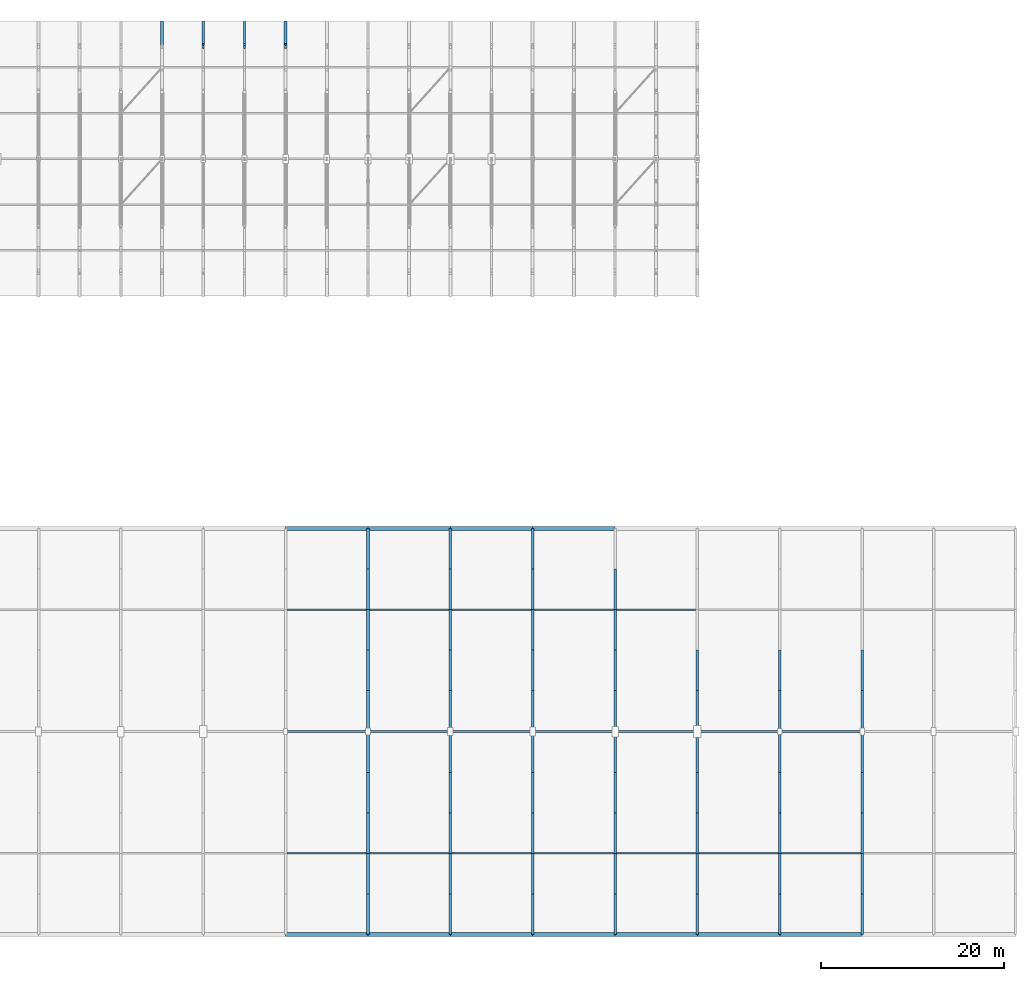
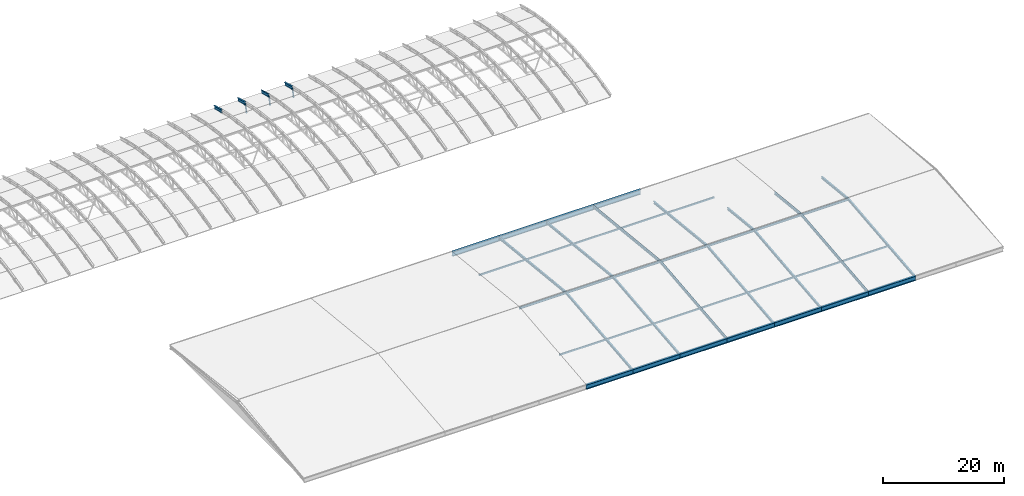
# One storey, part 21 of 53: 82 members, 15 beams.
"""IFC4 building model written with IfcOpenShell, lengths in metres."""

from ifc_helpers import new_model, si_unit, direction, frame, origin, origin_2d, place, context, subcontext, project, spatial, hollow_rectangle, i_section, extrude, material, material_profile, profile_set, type_object, element, save


model = new_model("IFC4")

# Units and contexts
model_context = context("Model", 3, precision=1e-05, world=origin(), true_north=direction((0.0, 1.0)))
body_context = subcontext(model_context, "Body", "Model", "MODEL_VIEW")
ifc_project = project(units=[si_unit("LENGTHUNIT", "METRE"), si_unit("AREAUNIT", "SQUARE_METRE"), si_unit("VOLUMEUNIT", "CUBIC_METRE"), si_unit("PLANEANGLEUNIT", "RADIAN"), si_unit("MASSUNIT", "GRAM", prefix="KILO")], contexts=[model_context])

# Site, building, storey
site_placement = place(None, origin())
site = spatial("IfcSite", under=ifc_project, at=site_placement, CompositionType="ELEMENT")
building_placement = place(site_placement, origin())
building = spatial("IfcBuilding", under=site, at=building_placement, Name="Cazmaro Siding Exhibition Halls", CompositionType="ELEMENT")
storey_placement = place(building_placement, frame((0.0, 0.0, 21.0)))
storey = spatial("IfcBuildingStorey", under=building, at=storey_placement, Name="L04", CompositionType="ELEMENT", Elevation=21.0)

# Beams
ifc_material_1 = material(Name="Steel ASTM A992 Grade 50", Category="steel")
ifc_material_profile_1 = material_profile(ifc_material_1, i_section(OverallWidth=0.327880859375, OverallDepth=0.626953125, WebThickness=0.01708984375, FlangeThickness=0.028076171875, at=origin_2d()), Name="W24X146")
ifc_profile_set_1 = profile_set([ifc_material_profile_1], Name="Steel ASTM A992 Grade 50")
beam_type_1 = type_object("IfcBeamType", Name="AR-01", PredefinedType="USERDEFINED", material=ifc_profile_set_1)
for number, where, z_axis, x_axis, name in (
    (1, (112.5, 106.5, 1.02001953125), (0.0, 0.966391398669, -0.257075211911), (-1.0, 0.0, 0.0), "Space frame barrel vault arched rib AR-01 BM-0912"),
    (2, (126.0, 106.5, 1.02001953125), (0.0, 0.966391398669, -0.257075211911), (-1.0, 0.0, 0.0), "Space frame barrel vault arched rib AR-01 BM-0984"),
):
    element("IfcBeam", number, at=place(storey_placement, frame(where, z_axis=z_axis, x_axis=x_axis)), inside=storey, type_object=beam_type_1, Name=name, ObjectType="ARCHED RIB", PredefinedType="USERDEFINED", context=body_context, shape_type="SweptSolid", body=[
        extrude(i_section(OverallWidth=0.327880859375, OverallDepth=0.626953125, WebThickness=0.01708984375, FlangeThickness=0.028076171875, at=origin_2d()), origin(), (0.0, 0.0, 1.0), 2.5869140625),
    ])
ifc_material_2 = material(Name="Steel ASTM A992 Grade 50", Category="steel")
ifc_material_profile_2 = material_profile(ifc_material_2, i_section(OverallWidth=0.324951171875, OverallDepth=0.612060546875, WebThickness=0.012939453125, FlangeThickness=0.01904296875, at=origin_2d()), Name="W24X104")
ifc_profile_set_2 = profile_set([ifc_material_profile_2], Name="Steel ASTM A992 Grade 50")
beam_type_2 = type_object("IfcBeamType", Name="AR-02", PredefinedType="USERDEFINED", material=ifc_profile_set_2)
beam_1_placement = place(storey_placement, frame((117.0, 106.5, 1.02001953125), z_axis=(0.0, 0.966391398669, -0.257075211911), x_axis=(-1.0, 0.0, 0.0)))
element("IfcBeam", 3, at=beam_1_placement, inside=storey, type_object=beam_type_2, Name="Space frame barrel vault arched rib AR-02 BM-0936", ObjectType="ARCHED RIB", PredefinedType="USERDEFINED", context=body_context, shape_type="SweptSolid", body=[
    extrude(i_section(OverallWidth=0.324951171875, OverallDepth=0.612060546875, WebThickness=0.012939453125, FlangeThickness=0.01904296875, at=origin_2d()), origin(), (0.0, 0.0, 1.0), 2.5869140625),
])
ifc_material_3 = material(Name="Steel ASTM A992 Grade 50", Category="steel")
ifc_material_profile_3 = material_profile(ifc_material_3, i_section(OverallWidth=0.22900390625, OverallDepth=0.612060546875, WebThickness=0.011962890625, FlangeThickness=0.02001953125, at=origin_2d()), Name="W24X84")
ifc_profile_set_3 = profile_set([ifc_material_profile_3], Name="Steel ASTM A992 Grade 50")
beam_type_3 = type_object("IfcBeamType", Name="AR-03", PredefinedType="USERDEFINED", material=ifc_profile_set_3)
beam_2_placement = place(storey_placement, frame((121.5, 106.5, 1.02001953125), z_axis=(0.0, 0.966391398669, -0.257075211911), x_axis=(-1.0, 0.0, 0.0)))
element("IfcBeam", 4, at=beam_2_placement, inside=storey, type_object=beam_type_3, Name="Space frame barrel vault arched rib AR-03 BM-0960", ObjectType="ARCHED RIB", PredefinedType="USERDEFINED", context=body_context, shape_type="SweptSolid", body=[
    extrude(i_section(OverallWidth=0.22900390625, OverallDepth=0.612060546875, WebThickness=0.011962890625, FlangeThickness=0.02001953125, at=origin_2d()), origin(), (0.0, 0.0, 1.0), 2.5869140625),
])
ifc_material_4 = material(Name="Steel ASTM A992 Grade 50", Category="steel")
ifc_material_profile_4 = material_profile(ifc_material_4, i_section(OverallWidth=0.4189453125, OverallDepth=0.927001953125, WebThickness=0.02001953125, FlangeThickness=0.031982421875, at=origin_2d()), Name="W36X231")
ifc_profile_set_4 = profile_set([ifc_material_profile_4], Name="Steel ASTM A992 Grade 50")
beam_type_4 = type_object("IfcBeamType", Name="G-02", PredefinedType="USERDEFINED", material=ifc_profile_set_4)
for number, where, z_axis, x_axis, name in (
    (5, (126.0, 9.25, -0.462890625), (1.0, 0.0, 0.0), (0.0, 1.0, 0.0), "Beam G-02 BM-1508"),
    (6, (126.0, 53.60009765625, -0.462890625), (1.0, 0.0, 0.0), (0.0, 1.0, 0.0), "Beam G-02 BM-1510"),
    (7, (135.0, 9.25, -0.462890625), (1.0, 0.0, 0.0), (0.0, 1.0, 0.0), "Beam G-02 BM-1512"),
    (8, (135.0, 53.60009765625, -0.462890625), (1.0, 0.0, 0.0), (0.0, 1.0, 0.0), "Beam G-02 BM-1514"),
    (9, (144.0, 9.25, -0.462890625), (1.0, 0.0, 0.0), (0.0, 1.0, 0.0), "Beam G-02 BM-1516"),
    (10, (144.0, 53.60009765625, -0.462890625), (1.0, 0.0, 0.0), (0.0, 1.0, 0.0), "Beam G-02 BM-1518"),
    (11, (153.0, 9.25, -0.462890625), (1.0, 0.0, 0.0), (0.0, 1.0, 0.0), "Beam G-02 BM-1520"),
    (12, (153.0, 53.60009765625, -0.462890625), (1.0, 0.0, 0.0), (0.0, 1.0, 0.0), "Beam G-02 BM-1522"),
    (13, (162.0, 9.25, -0.462890625), (1.0, 0.0, 0.0), (0.0, 1.0, 0.0), "Beam G-02 BM-1524"),
    (14, (171.0, 9.25, -0.462890625), (1.0, 0.0, 0.0), (0.0, 1.0, 0.0), "Beam G-02 BM-1528"),
    (15, (180.0, 9.25, -0.462890625), (1.0, 0.0, 0.0), (0.0, 1.0, 0.0), "Beam G-02 BM-1532"),
):
    element("IfcBeam", number, at=place(storey_placement, frame(where, z_axis=z_axis, x_axis=x_axis)), inside=storey, type_object=beam_type_4, Name=name, ObjectType="GIRDER", PredefinedType="USERDEFINED", context=body_context, shape_type="SweptSolid", body=[
        extrude(i_section(OverallWidth=0.4189453125, OverallDepth=0.927001953125, WebThickness=0.02001953125, FlangeThickness=0.031982421875, at=origin_2d()), origin(), (0.0, 0.0, 1.0), 9.0),
    ])

# Members
ifc_material_5 = material(Name="Steel ASTM A500 Grade C", Category="steel")
ifc_material_profile_5 = material_profile(ifc_material_5, hollow_rectangle(XDim=0.202880859375, YDim=0.304931640625, WallThickness=0.011962890625, at=origin_2d()), Name="HSS12X8X1/2")
ifc_profile_set_5 = profile_set([ifc_material_profile_5], Name="Steel ASTM A500 Grade C")
member_type_1 = type_object("IfcMemberType", Name="RP-02", PredefinedType="PURLIN", material=ifc_profile_set_5)
for number, where, z_axis, x_axis, name in (
    (16, (126.0, 18.1201171875, 0.610107421875), (1.0, 0.0, 0.0), (0.0, 1.0, 0.0), "Warren roof purlin RP-02 MEM-2944"),
    (17, (126.0, 44.72998046875, 0.610107421875), (1.0, 0.0, 0.0), (0.0, 1.0, 0.0), "Warren roof purlin RP-02 MEM-2946"),
    (18, (135.0, 18.1201171875, 0.610107421875), (1.0, 0.0, 0.0), (0.0, 1.0, 0.0), "Warren roof purlin RP-02 MEM-2947"),
    (19, (135.0, 44.72998046875, 0.610107421875), (1.0, 0.0, 0.0), (0.0, 1.0, 0.0), "Warren roof purlin RP-02 MEM-2949"),
    (20, (144.0, 18.1201171875, 0.610107421875), (1.0, 0.0, 0.0), (0.0, 1.0, 0.0), "Warren roof purlin RP-02 MEM-2950"),
    (21, (144.0, 44.72998046875, 0.610107421875), (1.0, 0.0, 0.0), (0.0, 1.0, 0.0), "Warren roof purlin RP-02 MEM-2952"),
    (22, (153.0, 18.1201171875, 0.610107421875), (1.0, 0.0, 0.0), (0.0, 1.0, 0.0), "Warren roof purlin RP-02 MEM-2953"),
    (23, (153.0, 44.72998046875, 0.610107421875), (1.0, 0.0, 0.0), (0.0, 1.0, 0.0), "Warren roof purlin RP-02 MEM-2955"),
    (24, (162.0, 18.1201171875, 0.610107421875), (1.0, 0.0, 0.0), (0.0, 1.0, 0.0), "Warren roof purlin RP-02 MEM-2956"),
    (25, (162.0, 44.72998046875, 0.610107421875), (1.0, 0.0, 0.0), (0.0, 1.0, 0.0), "Warren roof purlin RP-02 MEM-2958"),
    (26, (171.0, 18.1201171875, 0.610107421875), (1.0, 0.0, 0.0), (0.0, 1.0, 0.0), "Warren roof purlin RP-02 MEM-2959"),
    (27, (180.0, 18.1201171875, 0.610107421875), (1.0, 0.0, 0.0), (0.0, 1.0, 0.0), "Warren roof purlin RP-02 MEM-2962"),
):
    element("IfcMember", number, at=place(storey_placement, frame(where, z_axis=z_axis, x_axis=x_axis)), inside=storey, type_object=member_type_1, Name=name, PredefinedType="PURLIN", context=body_context, shape_type="SweptSolid", body=[
        extrude(hollow_rectangle(XDim=0.202880859375, YDim=0.304931640625, WallThickness=0.011962890625, at=origin_2d()), origin(), (0.0, 0.0, 1.0), 9.0),
    ])
ifc_material_6 = material(Name="Steel ASTM A992 Grade 50", Category="steel")
ifc_material_profile_6 = material_profile(ifc_material_6, i_section(OverallWidth=0.177978515625, OverallDepth=0.406005859375, WebThickness=0.008056640625, FlangeThickness=0.012939453125, at=origin_2d()), Name="W16X40")
ifc_profile_set_6 = profile_set([ifc_material_profile_6], Name="Steel ASTM A992 Grade 50")
member_type_2 = type_object("IfcMemberType", Name="RP-03", PredefinedType="PURLIN", material=ifc_profile_set_6)
for number, where, z_axis, x_axis, name in (
    (28, (126.0, 31.425048828125, 1.9580078125), (1.0, 0.0, 0.0), (0.0, 1.0, 0.0), "Warren roof purlin RP-03 MEM-2945"),
    (29, (135.0, 31.425048828125, 1.9580078125), (1.0, 0.0, 0.0), (0.0, 1.0, 0.0), "Warren roof purlin RP-03 MEM-2948"),
    (30, (144.0, 31.425048828125, 1.9580078125), (1.0, 0.0, 0.0), (0.0, 1.0, 0.0), "Warren roof purlin RP-03 MEM-2951"),
    (31, (153.0, 31.425048828125, 1.9580078125), (1.0, 0.0, 0.0), (0.0, 1.0, 0.0), "Warren roof purlin RP-03 MEM-2954"),
    (32, (162.0, 31.425048828125, 1.9580078125), (1.0, 0.0, 0.0), (0.0, 1.0, 0.0), "Warren roof purlin RP-03 MEM-2957"),
    (33, (171.0, 31.425048828125, 1.9580078125), (1.0, 0.0, 0.0), (0.0, 1.0, 0.0), "Warren roof purlin RP-03 MEM-2960"),
    (34, (180.0, 31.425048828125, 1.9580078125), (1.0, 0.0, 0.0), (0.0, 1.0, 0.0), "Warren roof purlin RP-03 MEM-2963"),
):
    element("IfcMember", number, at=place(storey_placement, frame(where, z_axis=z_axis, x_axis=x_axis)), inside=storey, type_object=member_type_2, Name=name, PredefinedType="PURLIN", context=body_context, shape_type="SweptSolid", body=[
        extrude(i_section(OverallWidth=0.177978515625, OverallDepth=0.406005859375, WebThickness=0.008056640625, FlangeThickness=0.012939453125, at=origin_2d()), origin(), (0.0, 0.0, 1.0), 9.0),
    ])
ifc_material_7 = material(Name="Steel ASTM A992 Grade 50", Category="steel")
ifc_material_profile_7 = material_profile(ifc_material_7, i_section(OverallWidth=0.279052734375, OverallDepth=0.4619140625, WebThickness=0.010986328125, FlangeThickness=0.01708984375, at=origin_2d()), Name="W18X76")
ifc_profile_set_7 = profile_set([ifc_material_profile_7], Name="Steel ASTM A992 Grade 50")
member_type_3 = type_object("IfcMemberType", Name="TC-03", PredefinedType="CHORD", material=ifc_profile_set_7)
for number, where, z_axis, x_axis, name in (
    (35, (135.0, 9.25, -0.360107421875), (0.0, 0.994523736536, 0.104510944239), (-1.0, 0.0, 0.0), "Warren roof truss top chord TC-03 MEM-2575"),
    (36, (135.0, 13.68505859375, 0.10595703125), (0.0, 0.994500952399, 0.104727530658), (-1.0, 0.0, 0.0), "Warren roof truss top chord TC-03 MEM-2578"),
):
    element("IfcMember", number, at=place(storey_placement, frame(where, z_axis=z_axis, x_axis=x_axis)), inside=storey, type_object=member_type_3, Name=name, PredefinedType="CHORD", context=body_context, shape_type="SweptSolid", body=[
        extrude(i_section(OverallWidth=0.279052734375, OverallDepth=0.4619140625, WebThickness=0.010986328125, FlangeThickness=0.01708984375, at=origin_2d()), origin(), (0.0, 0.0, 1.0), 4.45947265625),
    ])
member_1_placement = place(storey_placement, frame((135.0, 18.1201171875, 0.572998046875), z_axis=(0.0, 0.994523138518, 0.104516634816), x_axis=(-1.0, 0.0, 0.0)))
element("IfcMember", 37, at=member_1_placement, inside=storey, type_object=member_type_3, Name="Warren roof truss top chord TC-03 MEM-2581", PredefinedType="CHORD", context=body_context, shape_type="SweptSolid", body=[
    extrude(i_section(OverallWidth=0.279052734375, OverallDepth=0.4619140625, WebThickness=0.010986328125, FlangeThickness=0.01708984375, at=origin_2d()), origin(), (0.0, 0.0, 1.0), 4.459228515625),
])
for number, where, z_axis, x_axis, name in (
    (38, (135.0, 22.554931640625, 1.0390625), (0.0, 0.994529425363, 0.10445679531), (-1.0, 0.0, 0.0), "Warren roof truss top chord TC-03 MEM-2584"),
    (39, (135.0, 26.989990234375, 1.5048828125), (0.0, 0.994523736536, 0.104510944239), (-1.0, 0.0, 0.0), "Warren roof truss top chord TC-03 MEM-2587"),
    (40, (135.0, 31.425048828125, 1.970947265625), (0.0, 0.994523736536, -0.104510944239), (-1.0, 0.0, 0.0), "Warren roof truss top chord TC-03 MEM-2590"),
):
    element("IfcMember", number, at=place(storey_placement, frame(where, z_axis=z_axis, x_axis=x_axis)), inside=storey, type_object=member_type_3, Name=name, PredefinedType="CHORD", context=body_context, shape_type="SweptSolid", body=[
        extrude(i_section(OverallWidth=0.279052734375, OverallDepth=0.4619140625, WebThickness=0.010986328125, FlangeThickness=0.01708984375, at=origin_2d()), origin(), (0.0, 0.0, 1.0), 4.45947265625),
    ])
member_2_placement = place(storey_placement, frame((135.0, 35.860107421875, 1.5048828125), z_axis=(0.0, 0.994528827961, -0.104462483003), x_axis=(-1.0, 0.0, 0.0)))
element("IfcMember", 41, at=member_2_placement, inside=storey, type_object=member_type_3, Name="Warren roof truss top chord TC-03 MEM-2593", PredefinedType="CHORD", context=body_context, shape_type="SweptSolid", body=[
    extrude(i_section(OverallWidth=0.279052734375, OverallDepth=0.4619140625, WebThickness=0.010986328125, FlangeThickness=0.01708984375, at=origin_2d()), origin(), (0.0, 0.0, 1.0), 4.459228515625),
])
for number, where, z_axis, x_axis, name in (
    (42, (135.0, 40.294921875, 1.0390625), (0.0, 0.994523736536, -0.104510944239), (-1.0, 0.0, 0.0), "Warren roof truss top chord TC-03 MEM-2596"),
    (43, (135.0, 44.72998046875, 0.572998046875), (0.0, 0.994500952399, -0.104727530658), (-1.0, 0.0, 0.0), "Warren roof truss top chord TC-03 MEM-2599"),
    (44, (135.0, 49.1650390625, 0.10595703125), (0.0, 0.994523736536, -0.104510944239), (-1.0, 0.0, 0.0), "Warren roof truss top chord TC-03 MEM-2602"),
    (45, (144.0, 9.25, -0.360107421875), (0.0, 0.994523736536, 0.104510944239), (-1.0, 0.0, 0.0), "Warren roof truss top chord TC-03 MEM-2614"),
    (46, (144.0, 13.68505859375, 0.10595703125), (0.0, 0.994500952399, 0.104727530658), (-1.0, 0.0, 0.0), "Warren roof truss top chord TC-03 MEM-2617"),
):
    element("IfcMember", number, at=place(storey_placement, frame(where, z_axis=z_axis, x_axis=x_axis)), inside=storey, type_object=member_type_3, Name=name, PredefinedType="CHORD", context=body_context, shape_type="SweptSolid", body=[
        extrude(i_section(OverallWidth=0.279052734375, OverallDepth=0.4619140625, WebThickness=0.010986328125, FlangeThickness=0.01708984375, at=origin_2d()), origin(), (0.0, 0.0, 1.0), 4.45947265625),
    ])
member_3_placement = place(storey_placement, frame((144.0, 18.1201171875, 0.572998046875), z_axis=(0.0, 0.994523138518, 0.104516634816), x_axis=(-1.0, 0.0, 0.0)))
element("IfcMember", 47, at=member_3_placement, inside=storey, type_object=member_type_3, Name="Warren roof truss top chord TC-03 MEM-2620", PredefinedType="CHORD", context=body_context, shape_type="SweptSolid", body=[
    extrude(i_section(OverallWidth=0.279052734375, OverallDepth=0.4619140625, WebThickness=0.010986328125, FlangeThickness=0.01708984375, at=origin_2d()), origin(), (0.0, 0.0, 1.0), 4.459228515625),
])
for number, where, z_axis, x_axis, name in (
    (48, (144.0, 22.554931640625, 1.0390625), (0.0, 0.994529425363, 0.10445679531), (-1.0, 0.0, 0.0), "Warren roof truss top chord TC-03 MEM-2623"),
    (49, (144.0, 26.989990234375, 1.5048828125), (0.0, 0.994523736536, 0.104510944239), (-1.0, 0.0, 0.0), "Warren roof truss top chord TC-03 MEM-2626"),
    (50, (144.0, 31.425048828125, 1.970947265625), (0.0, 0.994523736536, -0.104510944239), (-1.0, 0.0, 0.0), "Warren roof truss top chord TC-03 MEM-2629"),
):
    element("IfcMember", number, at=place(storey_placement, frame(where, z_axis=z_axis, x_axis=x_axis)), inside=storey, type_object=member_type_3, Name=name, PredefinedType="CHORD", context=body_context, shape_type="SweptSolid", body=[
        extrude(i_section(OverallWidth=0.279052734375, OverallDepth=0.4619140625, WebThickness=0.010986328125, FlangeThickness=0.01708984375, at=origin_2d()), origin(), (0.0, 0.0, 1.0), 4.45947265625),
    ])
member_4_placement = place(storey_placement, frame((144.0, 35.860107421875, 1.5048828125), z_axis=(0.0, 0.994528827961, -0.104462483003), x_axis=(-1.0, 0.0, 0.0)))
element("IfcMember", 51, at=member_4_placement, inside=storey, type_object=member_type_3, Name="Warren roof truss top chord TC-03 MEM-2632", PredefinedType="CHORD", context=body_context, shape_type="SweptSolid", body=[
    extrude(i_section(OverallWidth=0.279052734375, OverallDepth=0.4619140625, WebThickness=0.010986328125, FlangeThickness=0.01708984375, at=origin_2d()), origin(), (0.0, 0.0, 1.0), 4.459228515625),
])
for number, where, z_axis, x_axis, name in (
    (52, (144.0, 40.294921875, 1.0390625), (0.0, 0.994523736536, -0.104510944239), (-1.0, 0.0, 0.0), "Warren roof truss top chord TC-03 MEM-2635"),
    (53, (144.0, 44.72998046875, 0.572998046875), (0.0, 0.994500952399, -0.104727530658), (-1.0, 0.0, 0.0), "Warren roof truss top chord TC-03 MEM-2638"),
    (54, (144.0, 49.1650390625, 0.10595703125), (0.0, 0.994523736536, -0.104510944239), (-1.0, 0.0, 0.0), "Warren roof truss top chord TC-03 MEM-2641"),
    (55, (153.0, 9.25, -0.360107421875), (0.0, 0.994523736536, 0.104510944239), (-1.0, 0.0, 0.0), "Warren roof truss top chord TC-03 MEM-2653"),
    (56, (153.0, 13.68505859375, 0.10595703125), (0.0, 0.994500952399, 0.104727530658), (-1.0, 0.0, 0.0), "Warren roof truss top chord TC-03 MEM-2656"),
):
    element("IfcMember", number, at=place(storey_placement, frame(where, z_axis=z_axis, x_axis=x_axis)), inside=storey, type_object=member_type_3, Name=name, PredefinedType="CHORD", context=body_context, shape_type="SweptSolid", body=[
        extrude(i_section(OverallWidth=0.279052734375, OverallDepth=0.4619140625, WebThickness=0.010986328125, FlangeThickness=0.01708984375, at=origin_2d()), origin(), (0.0, 0.0, 1.0), 4.45947265625),
    ])
member_5_placement = place(storey_placement, frame((153.0, 18.1201171875, 0.572998046875), z_axis=(0.0, 0.994523138518, 0.104516634816), x_axis=(-1.0, 0.0, 0.0)))
element("IfcMember", 57, at=member_5_placement, inside=storey, type_object=member_type_3, Name="Warren roof truss top chord TC-03 MEM-2659", PredefinedType="CHORD", context=body_context, shape_type="SweptSolid", body=[
    extrude(i_section(OverallWidth=0.279052734375, OverallDepth=0.4619140625, WebThickness=0.010986328125, FlangeThickness=0.01708984375, at=origin_2d()), origin(), (0.0, 0.0, 1.0), 4.459228515625),
])
for number, where, z_axis, x_axis, name in (
    (58, (153.0, 22.554931640625, 1.0390625), (0.0, 0.994529425363, 0.10445679531), (-1.0, 0.0, 0.0), "Warren roof truss top chord TC-03 MEM-2662"),
    (59, (153.0, 26.989990234375, 1.5048828125), (0.0, 0.994523736536, 0.104510944239), (-1.0, 0.0, 0.0), "Warren roof truss top chord TC-03 MEM-2665"),
    (60, (153.0, 31.425048828125, 1.970947265625), (0.0, 0.994523736536, -0.104510944239), (-1.0, 0.0, 0.0), "Warren roof truss top chord TC-03 MEM-2668"),
):
    element("IfcMember", number, at=place(storey_placement, frame(where, z_axis=z_axis, x_axis=x_axis)), inside=storey, type_object=member_type_3, Name=name, PredefinedType="CHORD", context=body_context, shape_type="SweptSolid", body=[
        extrude(i_section(OverallWidth=0.279052734375, OverallDepth=0.4619140625, WebThickness=0.010986328125, FlangeThickness=0.01708984375, at=origin_2d()), origin(), (0.0, 0.0, 1.0), 4.45947265625),
    ])
member_6_placement = place(storey_placement, frame((153.0, 35.860107421875, 1.5048828125), z_axis=(0.0, 0.994528827961, -0.104462483003), x_axis=(-1.0, 0.0, 0.0)))
element("IfcMember", 61, at=member_6_placement, inside=storey, type_object=member_type_3, Name="Warren roof truss top chord TC-03 MEM-2671", PredefinedType="CHORD", context=body_context, shape_type="SweptSolid", body=[
    extrude(i_section(OverallWidth=0.279052734375, OverallDepth=0.4619140625, WebThickness=0.010986328125, FlangeThickness=0.01708984375, at=origin_2d()), origin(), (0.0, 0.0, 1.0), 4.459228515625),
])
for number, where, z_axis, x_axis, name in (
    (62, (153.0, 40.294921875, 1.0390625), (0.0, 0.994523736536, -0.104510944239), (-1.0, 0.0, 0.0), "Warren roof truss top chord TC-03 MEM-2674"),
    (63, (153.0, 44.72998046875, 0.572998046875), (0.0, 0.994500952399, -0.104727530658), (-1.0, 0.0, 0.0), "Warren roof truss top chord TC-03 MEM-2677"),
    (64, (153.0, 49.1650390625, 0.10595703125), (0.0, 0.994523736536, -0.104510944239), (-1.0, 0.0, 0.0), "Warren roof truss top chord TC-03 MEM-2680"),
    (65, (162.0, 9.25, -0.360107421875), (0.0, 0.994523736536, 0.104510944239), (-1.0, 0.0, 0.0), "Warren roof truss top chord TC-03 MEM-2692"),
    (66, (162.0, 13.68505859375, 0.10595703125), (0.0, 0.994500952399, 0.104727530658), (-1.0, 0.0, 0.0), "Warren roof truss top chord TC-03 MEM-2695"),
):
    element("IfcMember", number, at=place(storey_placement, frame(where, z_axis=z_axis, x_axis=x_axis)), inside=storey, type_object=member_type_3, Name=name, PredefinedType="CHORD", context=body_context, shape_type="SweptSolid", body=[
        extrude(i_section(OverallWidth=0.279052734375, OverallDepth=0.4619140625, WebThickness=0.010986328125, FlangeThickness=0.01708984375, at=origin_2d()), origin(), (0.0, 0.0, 1.0), 4.45947265625),
    ])
member_7_placement = place(storey_placement, frame((162.0, 18.1201171875, 0.572998046875), z_axis=(0.0, 0.994523138518, 0.104516634816), x_axis=(-1.0, 0.0, 0.0)))
element("IfcMember", 67, at=member_7_placement, inside=storey, type_object=member_type_3, Name="Warren roof truss top chord TC-03 MEM-2698", PredefinedType="CHORD", context=body_context, shape_type="SweptSolid", body=[
    extrude(i_section(OverallWidth=0.279052734375, OverallDepth=0.4619140625, WebThickness=0.010986328125, FlangeThickness=0.01708984375, at=origin_2d()), origin(), (0.0, 0.0, 1.0), 4.459228515625),
])
for number, where, z_axis, x_axis, name in (
    (68, (162.0, 22.554931640625, 1.0390625), (0.0, 0.994529425363, 0.10445679531), (-1.0, 0.0, 0.0), "Warren roof truss top chord TC-03 MEM-2701"),
    (69, (162.0, 26.989990234375, 1.5048828125), (0.0, 0.994523736536, 0.104510944239), (-1.0, 0.0, 0.0), "Warren roof truss top chord TC-03 MEM-2704"),
    (70, (162.0, 31.425048828125, 1.970947265625), (0.0, 0.994523736536, -0.104510944239), (-1.0, 0.0, 0.0), "Warren roof truss top chord TC-03 MEM-2707"),
):
    element("IfcMember", number, at=place(storey_placement, frame(where, z_axis=z_axis, x_axis=x_axis)), inside=storey, type_object=member_type_3, Name=name, PredefinedType="CHORD", context=body_context, shape_type="SweptSolid", body=[
        extrude(i_section(OverallWidth=0.279052734375, OverallDepth=0.4619140625, WebThickness=0.010986328125, FlangeThickness=0.01708984375, at=origin_2d()), origin(), (0.0, 0.0, 1.0), 4.45947265625),
    ])
member_8_placement = place(storey_placement, frame((162.0, 35.860107421875, 1.5048828125), z_axis=(0.0, 0.994528827961, -0.104462483003), x_axis=(-1.0, 0.0, 0.0)))
element("IfcMember", 71, at=member_8_placement, inside=storey, type_object=member_type_3, Name="Warren roof truss top chord TC-03 MEM-2710", PredefinedType="CHORD", context=body_context, shape_type="SweptSolid", body=[
    extrude(i_section(OverallWidth=0.279052734375, OverallDepth=0.4619140625, WebThickness=0.010986328125, FlangeThickness=0.01708984375, at=origin_2d()), origin(), (0.0, 0.0, 1.0), 4.459228515625),
])
for number, where, z_axis, x_axis, name in (
    (72, (162.0, 40.294921875, 1.0390625), (0.0, 0.994523736536, -0.104510944239), (-1.0, 0.0, 0.0), "Warren roof truss top chord TC-03 MEM-2713"),
    (73, (162.0, 44.72998046875, 0.572998046875), (0.0, 0.994500952399, -0.104727530658), (-1.0, 0.0, 0.0), "Warren roof truss top chord TC-03 MEM-2716"),
    (74, (171.0, 9.25, -0.360107421875), (0.0, 0.994523736536, 0.104510944239), (-1.0, 0.0, 0.0), "Warren roof truss top chord TC-03 MEM-2731"),
    (75, (171.0, 13.68505859375, 0.10595703125), (0.0, 0.994500952399, 0.104727530658), (-1.0, 0.0, 0.0), "Warren roof truss top chord TC-03 MEM-2734"),
):
    element("IfcMember", number, at=place(storey_placement, frame(where, z_axis=z_axis, x_axis=x_axis)), inside=storey, type_object=member_type_3, Name=name, PredefinedType="CHORD", context=body_context, shape_type="SweptSolid", body=[
        extrude(i_section(OverallWidth=0.279052734375, OverallDepth=0.4619140625, WebThickness=0.010986328125, FlangeThickness=0.01708984375, at=origin_2d()), origin(), (0.0, 0.0, 1.0), 4.45947265625),
    ])
member_9_placement = place(storey_placement, frame((171.0, 18.1201171875, 0.572998046875), z_axis=(0.0, 0.994523138518, 0.104516634816), x_axis=(-1.0, 0.0, 0.0)))
element("IfcMember", 76, at=member_9_placement, inside=storey, type_object=member_type_3, Name="Warren roof truss top chord TC-03 MEM-2737", PredefinedType="CHORD", context=body_context, shape_type="SweptSolid", body=[
    extrude(i_section(OverallWidth=0.279052734375, OverallDepth=0.4619140625, WebThickness=0.010986328125, FlangeThickness=0.01708984375, at=origin_2d()), origin(), (0.0, 0.0, 1.0), 4.459228515625),
])
for number, where, z_axis, x_axis, name in (
    (77, (171.0, 22.554931640625, 1.0390625), (0.0, 0.994529425363, 0.10445679531), (-1.0, 0.0, 0.0), "Warren roof truss top chord TC-03 MEM-2740"),
    (78, (171.0, 26.989990234375, 1.5048828125), (0.0, 0.994523736536, 0.104510944239), (-1.0, 0.0, 0.0), "Warren roof truss top chord TC-03 MEM-2743"),
    (79, (171.0, 31.425048828125, 1.970947265625), (0.0, 0.994523736536, -0.104510944239), (-1.0, 0.0, 0.0), "Warren roof truss top chord TC-03 MEM-2746"),
):
    element("IfcMember", number, at=place(storey_placement, frame(where, z_axis=z_axis, x_axis=x_axis)), inside=storey, type_object=member_type_3, Name=name, PredefinedType="CHORD", context=body_context, shape_type="SweptSolid", body=[
        extrude(i_section(OverallWidth=0.279052734375, OverallDepth=0.4619140625, WebThickness=0.010986328125, FlangeThickness=0.01708984375, at=origin_2d()), origin(), (0.0, 0.0, 1.0), 4.45947265625),
    ])
member_10_placement = place(storey_placement, frame((171.0, 35.860107421875, 1.5048828125), z_axis=(0.0, 0.994528827961, -0.104462483003), x_axis=(-1.0, 0.0, 0.0)))
element("IfcMember", 80, at=member_10_placement, inside=storey, type_object=member_type_3, Name="Warren roof truss top chord TC-03 MEM-2749", PredefinedType="CHORD", context=body_context, shape_type="SweptSolid", body=[
    extrude(i_section(OverallWidth=0.279052734375, OverallDepth=0.4619140625, WebThickness=0.010986328125, FlangeThickness=0.01708984375, at=origin_2d()), origin(), (0.0, 0.0, 1.0), 4.459228515625),
])
for number, where, z_axis, x_axis, name in (
    (81, (180.0, 9.25, -0.360107421875), (0.0, 0.994523736536, 0.104510944239), (-1.0, 0.0, 0.0), "Warren roof truss top chord TC-03 MEM-2770"),
    (82, (180.0, 13.68505859375, 0.10595703125), (0.0, 0.994500952399, 0.104727530658), (-1.0, 0.0, 0.0), "Warren roof truss top chord TC-03 MEM-2773"),
):
    element("IfcMember", number, at=place(storey_placement, frame(where, z_axis=z_axis, x_axis=x_axis)), inside=storey, type_object=member_type_3, Name=name, PredefinedType="CHORD", context=body_context, shape_type="SweptSolid", body=[
        extrude(i_section(OverallWidth=0.279052734375, OverallDepth=0.4619140625, WebThickness=0.010986328125, FlangeThickness=0.01708984375, at=origin_2d()), origin(), (0.0, 0.0, 1.0), 4.45947265625),
    ])
member_11_placement = place(storey_placement, frame((180.0, 18.1201171875, 0.572998046875), z_axis=(0.0, 0.994523138518, 0.104516634816), x_axis=(-1.0, 0.0, 0.0)))
element("IfcMember", 83, at=member_11_placement, inside=storey, type_object=member_type_3, Name="Warren roof truss top chord TC-03 MEM-2776", PredefinedType="CHORD", context=body_context, shape_type="SweptSolid", body=[
    extrude(i_section(OverallWidth=0.279052734375, OverallDepth=0.4619140625, WebThickness=0.010986328125, FlangeThickness=0.01708984375, at=origin_2d()), origin(), (0.0, 0.0, 1.0), 4.459228515625),
])
for number, where, z_axis, x_axis, name in (
    (84, (180.0, 22.554931640625, 1.0390625), (0.0, 0.994529425363, 0.10445679531), (-1.0, 0.0, 0.0), "Warren roof truss top chord TC-03 MEM-2779"),
    (85, (180.0, 26.989990234375, 1.5048828125), (0.0, 0.994523736536, 0.104510944239), (-1.0, 0.0, 0.0), "Warren roof truss top chord TC-03 MEM-2782"),
    (86, (180.0, 31.425048828125, 1.970947265625), (0.0, 0.994523736536, -0.104510944239), (-1.0, 0.0, 0.0), "Warren roof truss top chord TC-03 MEM-2785"),
):
    element("IfcMember", number, at=place(storey_placement, frame(where, z_axis=z_axis, x_axis=x_axis)), inside=storey, type_object=member_type_3, Name=name, PredefinedType="CHORD", context=body_context, shape_type="SweptSolid", body=[
        extrude(i_section(OverallWidth=0.279052734375, OverallDepth=0.4619140625, WebThickness=0.010986328125, FlangeThickness=0.01708984375, at=origin_2d()), origin(), (0.0, 0.0, 1.0), 4.45947265625),
    ])
member_12_placement = place(storey_placement, frame((180.0, 35.860107421875, 1.5048828125), z_axis=(0.0, 0.994528827961, -0.104462483003), x_axis=(-1.0, 0.0, 0.0)))
element("IfcMember", 87, at=member_12_placement, inside=storey, type_object=member_type_3, Name="Warren roof truss top chord TC-03 MEM-2788", PredefinedType="CHORD", context=body_context, shape_type="SweptSolid", body=[
    extrude(i_section(OverallWidth=0.279052734375, OverallDepth=0.4619140625, WebThickness=0.010986328125, FlangeThickness=0.01708984375, at=origin_2d()), origin(), (0.0, 0.0, 1.0), 4.459228515625),
])
for number, where, z_axis, x_axis, name in (
    (88, (189.0, 9.25, -0.360107421875), (0.0, 0.994523736536, 0.104510944239), (-1.0, 0.0, 0.0), "Warren roof truss top chord TC-03 MEM-2809"),
    (89, (189.0, 13.68505859375, 0.10595703125), (0.0, 0.994500952399, 0.104727530658), (-1.0, 0.0, 0.0), "Warren roof truss top chord TC-03 MEM-2812"),
):
    element("IfcMember", number, at=place(storey_placement, frame(where, z_axis=z_axis, x_axis=x_axis)), inside=storey, type_object=member_type_3, Name=name, PredefinedType="CHORD", context=body_context, shape_type="SweptSolid", body=[
        extrude(i_section(OverallWidth=0.279052734375, OverallDepth=0.4619140625, WebThickness=0.010986328125, FlangeThickness=0.01708984375, at=origin_2d()), origin(), (0.0, 0.0, 1.0), 4.45947265625),
    ])
member_13_placement = place(storey_placement, frame((189.0, 18.1201171875, 0.572998046875), z_axis=(0.0, 0.994523138518, 0.104516634816), x_axis=(-1.0, 0.0, 0.0)))
element("IfcMember", 90, at=member_13_placement, inside=storey, type_object=member_type_3, Name="Warren roof truss top chord TC-03 MEM-2815", PredefinedType="CHORD", context=body_context, shape_type="SweptSolid", body=[
    extrude(i_section(OverallWidth=0.279052734375, OverallDepth=0.4619140625, WebThickness=0.010986328125, FlangeThickness=0.01708984375, at=origin_2d()), origin(), (0.0, 0.0, 1.0), 4.459228515625),
])
for number, where, z_axis, x_axis, name in (
    (91, (189.0, 22.554931640625, 1.0390625), (0.0, 0.994529425363, 0.10445679531), (-1.0, 0.0, 0.0), "Warren roof truss top chord TC-03 MEM-2818"),
    (92, (189.0, 26.989990234375, 1.5048828125), (0.0, 0.994523736536, 0.104510944239), (-1.0, 0.0, 0.0), "Warren roof truss top chord TC-03 MEM-2821"),
    (93, (189.0, 31.425048828125, 1.970947265625), (0.0, 0.994523736536, -0.104510944239), (-1.0, 0.0, 0.0), "Warren roof truss top chord TC-03 MEM-2824"),
):
    element("IfcMember", number, at=place(storey_placement, frame(where, z_axis=z_axis, x_axis=x_axis)), inside=storey, type_object=member_type_3, Name=name, PredefinedType="CHORD", context=body_context, shape_type="SweptSolid", body=[
        extrude(i_section(OverallWidth=0.279052734375, OverallDepth=0.4619140625, WebThickness=0.010986328125, FlangeThickness=0.01708984375, at=origin_2d()), origin(), (0.0, 0.0, 1.0), 4.45947265625),
    ])
member_14_placement = place(storey_placement, frame((189.0, 35.860107421875, 1.5048828125), z_axis=(0.0, 0.994528827961, -0.104462483003), x_axis=(-1.0, 0.0, 0.0)))
element("IfcMember", 94, at=member_14_placement, inside=storey, type_object=member_type_3, Name="Warren roof truss top chord TC-03 MEM-2827", PredefinedType="CHORD", context=body_context, shape_type="SweptSolid", body=[
    extrude(i_section(OverallWidth=0.279052734375, OverallDepth=0.4619140625, WebThickness=0.010986328125, FlangeThickness=0.01708984375, at=origin_2d()), origin(), (0.0, 0.0, 1.0), 4.459228515625),
])
ifc_material_8 = material(Name="Steel ASTM A500 Grade C", Category="steel")
ifc_material_profile_8 = material_profile(ifc_material_8, hollow_rectangle(XDim=0.202880859375, YDim=0.202880859375, WallThickness=0.011962890625, at=origin_2d()), Name="HSS8X8X1/2")
ifc_profile_set_8 = profile_set([ifc_material_profile_8], Name="Steel ASTM A500 Grade C")
member_type_4 = type_object("IfcMemberType", Name="TP-01", PredefinedType="POST", material=ifc_profile_set_8)
for number, where, z_axis, x_axis, name in (
    (95, (117.0, 106.14990234375, -0.739013671875), (0.0, 0.195199839578, 0.980763489649), (-1.0, 0.0, 0.0), "Space frame barrel vault post TP-01 MEM-1153"),
    (96, (121.5, 106.14990234375, -0.739013671875), (0.0, 0.195199839578, 0.980763489649), (-1.0, 0.0, 0.0), "Space frame barrel vault post TP-01 MEM-1224"),
    (97, (126.0, 106.14990234375, -0.739013671875), (0.0, 0.195199839578, 0.980763489649), (-1.0, 0.0, 0.0), "Space frame barrel vault post TP-01 MEM-1295"),
):
    element("IfcMember", number, at=place(storey_placement, frame(where, z_axis=z_axis, x_axis=x_axis)), inside=storey, type_object=member_type_4, Name=name, PredefinedType="POST", context=body_context, shape_type="SweptSolid", body=[
        extrude(hollow_rectangle(XDim=0.202880859375, YDim=0.202880859375, WallThickness=0.011962890625, at=origin_2d()), origin(), (0.0, 0.0, 1.0), 1.79345703125),
    ])

save(model, "model.ifc")
